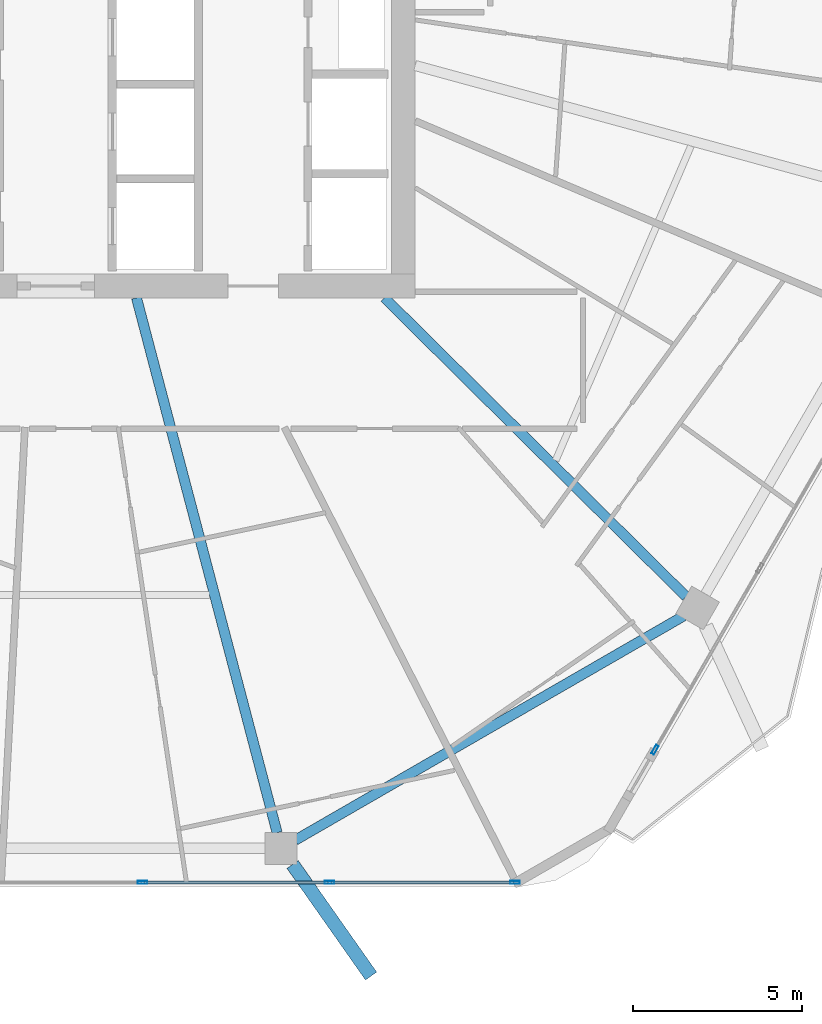
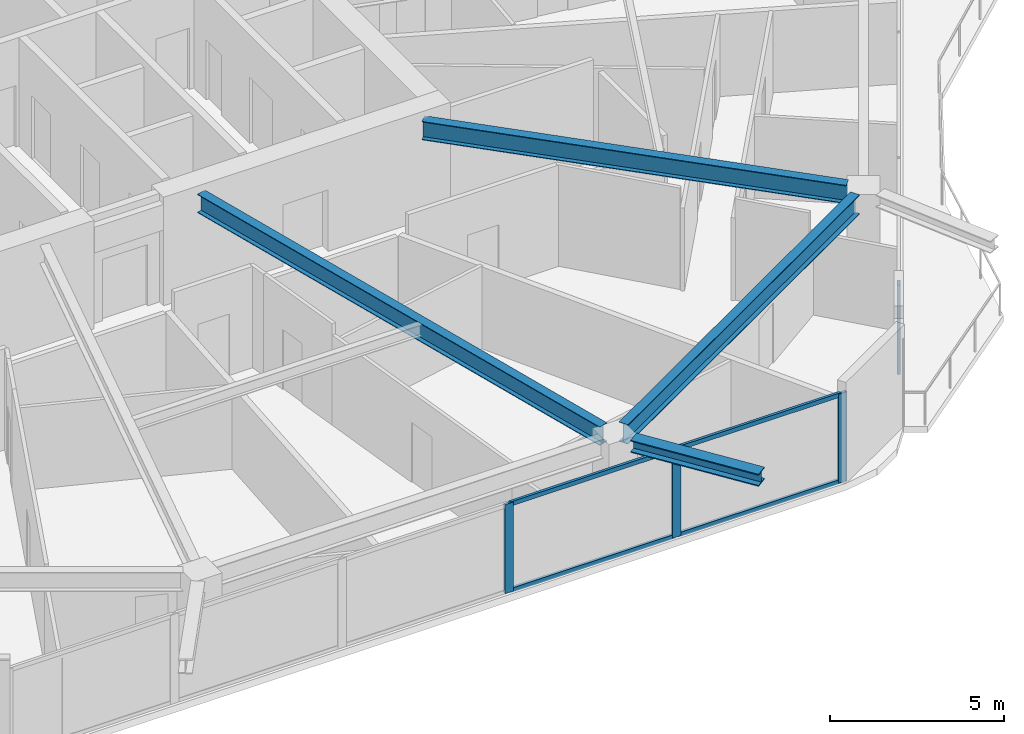
# One storey, part 7 of 27: 8 members, 4 beams, 2 elements without a shape of their own.
"""IFC4 building model written with IfcOpenShell, lengths in metres."""

from ifc_helpers import new_model, si_unit, direction, frame, origin, origin_2d, place, context, subcontext, project, spatial, hollow_rectangle, i_section, extrude, material, material_profile, profile_set, type_object, element, aggregate, save


model = new_model("IFC4")

# Units and contexts
model_context = context("Model", 3, precision=1e-05, world=origin(), true_north=direction((0.0, 1.0)))
body_context = subcontext(model_context, "Body", "Model", "MODEL_VIEW")
ifc_project = project(units=[si_unit("LENGTHUNIT", "METRE"), si_unit("AREAUNIT", "SQUARE_METRE"), si_unit("VOLUMEUNIT", "CUBIC_METRE"), si_unit("PLANEANGLEUNIT", "RADIAN"), si_unit("MASSUNIT", "GRAM", prefix="KILO")], contexts=[model_context])

# Site, building, storey
site_placement = place(None, origin())
site = spatial("IfcSite", under=ifc_project, at=site_placement, CompositionType="ELEMENT")
building_placement = place(site_placement, origin())
building = spatial("IfcBuilding", under=site, at=building_placement, Name="Zuhravey Tower", CompositionType="ELEMENT")
storey_placement = place(building_placement, frame((0.0, 0.0, 188.39990234375)))
storey = spatial("IfcBuildingStorey", under=building, at=storey_placement, Name="L47", CompositionType="ELEMENT", Elevation=188.39990234375)

# Curtain wall, member
ifc_material_1 = material(Name="Thermally broken anodised aluminium", Category="aluminium")
curtain_wall_type = type_object("IfcCurtainWallType", Name="Zone 1-2 Residential Curtain Wall CW3", PredefinedType="NOTDEFINED", material=ifc_material_1)
curtain_wall_1_placement = place(storey_placement, origin())
curtain_wall_1 = element("IfcCurtainWall", 1, at=curtain_wall_1_placement, inside=storey, type_object=curtain_wall_type, Name="L47 CW3 CW-L47-F6-1", PredefinedType="NOTDEFINED")
ifc_material_2 = material(Name="Anodised aluminium", Category="aluminium")
ifc_material_profile_1 = material_profile(ifc_material_2, hollow_rectangle(XDim=0.090087890625, YDim=0.284912109375, WallThickness=0.0048828125, at=origin_2d()), Name="ALU-RHS-90x285x5")
ifc_profile_set_1 = profile_set([ifc_material_profile_1], Name="Anodised aluminium")
member_type_1 = type_object("IfcMemberType", Name="Curtain-Wall Mullion 90x180", PredefinedType="MULLION", material=ifc_profile_set_1)
member_1_placement = place(storey_placement, frame((53.9638671875, 8.748046875, 0.0), z_axis=(0.0, 0.0, 1.0), x_axis=(0.866025776429, -0.499999354559, 0.0)))
member_1 = element("IfcMember", 2, at=member_1_placement, type_object=member_type_1, Name="CW3 mullion 5", PredefinedType="MULLION", context=body_context, shape_type="SweptSolid", body=[
    extrude(hollow_rectangle(XDim=0.090087890625, YDim=0.284912109375, WallThickness=0.0048828125, at=origin_2d()), origin(), (0.0, 0.0, 1.0), 3.1220703125),
])
aggregate(curtain_wall_1, [member_1])

# Curtain wall, members
curtain_wall_2_placement = place(storey_placement, origin())
curtain_wall_2 = element("IfcCurtainWall", 3, at=curtain_wall_2_placement, inside=storey, type_object=curtain_wall_type, Name="L47 CW3 CW-L47-F5-1", PredefinedType="NOTDEFINED")
member_2_placement = place(storey_placement, frame((49.816162109375, 4.81689453125, 0.0), z_axis=(0.0, 0.0, 1.0), x_axis=(0.0, -1.0, 0.0)))
member_2 = element("IfcMember", 4, at=member_2_placement, type_object=member_type_1, Name="CW3 mullion 1", PredefinedType="MULLION", context=body_context, shape_type="SweptSolid", body=[
    extrude(hollow_rectangle(XDim=0.090087890625, YDim=0.284912109375, WallThickness=0.0048828125, at=origin_2d()), origin(), (0.0, 0.0, 1.0), 3.1220703125),
])
member_3_placement = place(storey_placement, frame((44.316650390625, 4.81689453125, 0.0), z_axis=(0.0, 0.0, 1.0), x_axis=(0.0, -1.0, 0.0)))
member_3 = element("IfcMember", 5, at=member_3_placement, type_object=member_type_1, Name="CW3 mullion 2", PredefinedType="MULLION", context=body_context, shape_type="SweptSolid", body=[
    extrude(hollow_rectangle(XDim=0.090087890625, YDim=0.284912109375, WallThickness=0.0048828125, at=origin_2d()), origin(), (0.0, 0.0, 1.0), 3.1220703125),
])
member_4_placement = place(storey_placement, frame((38.772216796875, 4.81689453125, 0.0), z_axis=(0.0, 0.0, 1.0), x_axis=(0.0, -1.0, 0.0)))
member_4 = element("IfcMember", 6, at=member_4_placement, type_object=member_type_1, Name="CW3 mullion 3", PredefinedType="MULLION", context=body_context, shape_type="SweptSolid", body=[
    extrude(hollow_rectangle(XDim=0.090087890625, YDim=0.284912109375, WallThickness=0.0048828125, at=origin_2d()), origin(), (0.0, 0.0, 1.0), 3.1220703125),
])
ifc_material_profile_2 = material_profile(ifc_material_2, hollow_rectangle(XDim=0.090087890625, YDim=0.14990234375, WallThickness=0.0048828125, at=origin_2d()), Name="ALU-RHS-90x150x5")
ifc_profile_set_2 = profile_set([ifc_material_profile_2], Name="Anodised aluminium")
member_type_2 = type_object("IfcMemberType", Name="Curtain-Wall Transom 90x150", PredefinedType="USERDEFINED", material=ifc_profile_set_2)
member_5_placement = place(storey_placement, frame((49.77099609375, 4.81689453125, 0.045166015625), z_axis=(-1.0, 0.0, 0.0), x_axis=(0.0, -1.0, 0.0)))
member_5 = element("IfcMember", 7, at=member_5_placement, type_object=member_type_2, Name="CW3 transom 1.1", ObjectType="TRANSOM", PredefinedType="USERDEFINED", context=body_context, shape_type="SweptSolid", body=[
    extrude(hollow_rectangle(XDim=0.090087890625, YDim=0.14990234375, WallThickness=0.0048828125, at=origin_2d()), origin(), (0.0, 0.0, 1.0), 5.409423828125),
])
member_6_placement = place(storey_placement, frame((49.77099609375, 4.81689453125, 3.0771484375), z_axis=(-1.0, 0.0, 0.0), x_axis=(0.0, -1.0, 0.0)))
member_6 = element("IfcMember", 8, at=member_6_placement, type_object=member_type_2, Name="CW3 transom 1.2", ObjectType="TRANSOM", PredefinedType="USERDEFINED", context=body_context, shape_type="SweptSolid", body=[
    extrude(hollow_rectangle(XDim=0.090087890625, YDim=0.14990234375, WallThickness=0.0048828125, at=origin_2d()), origin(), (0.0, 0.0, 1.0), 5.409423828125),
])
member_7_placement = place(storey_placement, frame((44.271728515625, 4.81689453125, 0.045166015625), z_axis=(-1.0, 0.0, 0.0), x_axis=(0.0, -1.0, 0.0)))
member_7 = element("IfcMember", 9, at=member_7_placement, type_object=member_type_2, Name="CW3 transom 2.1", ObjectType="TRANSOM", PredefinedType="USERDEFINED", context=body_context, shape_type="SweptSolid", body=[
    extrude(hollow_rectangle(XDim=0.090087890625, YDim=0.14990234375, WallThickness=0.0048828125, at=origin_2d()), origin(), (0.0, 0.0, 1.0), 5.45458984375),
])
member_8_placement = place(storey_placement, frame((44.271728515625, 4.81689453125, 3.0771484375), z_axis=(-1.0, 0.0, 0.0), x_axis=(0.0, -1.0, 0.0)))
member_8 = element("IfcMember", 10, at=member_8_placement, type_object=member_type_2, Name="CW3 transom 2.2", ObjectType="TRANSOM", PredefinedType="USERDEFINED", context=body_context, shape_type="SweptSolid", body=[
    extrude(hollow_rectangle(XDim=0.090087890625, YDim=0.14990234375, WallThickness=0.0048828125, at=origin_2d()), origin(), (0.0, 0.0, 1.0), 5.45458984375),
])
aggregate(curtain_wall_2, [member_2, member_3, member_4, member_5, member_6, member_7, member_8])

# Beams
ifc_material_3 = material(Name="Steel SM460", Category="steel")
ifc_material_profile_3 = material_profile(ifc_material_3, i_section(OverallWidth=0.406982421875, OverallDepth=0.427978515625, WebThickness=0.02001953125, FlangeThickness=0.034912109375, at=origin_2d()), Name="H-428x407x20x35")
ifc_profile_set_3 = profile_set([ifc_material_profile_3], Name="Steel SM460")
beam_type_1 = type_object("IfcBeamType", Name="Exoskeleton Node Tie Beam H428x407", PredefinedType="BEAM", material=ifc_profile_set_3)
beam_1_placement = place(storey_placement, frame((43.218505859375, 5.3486328125, 3.336181640625), z_axis=(0.57531553611, -0.817931558207, 0.0), x_axis=(0.817931558207, 0.57531553611, 0.0)))
element("IfcBeam", 11, at=beam_1_placement, inside=storey, type_object=beam_type_1, Name="L47 Exoskeleton Node Tie NT1-10", PredefinedType="BEAM", context=body_context, shape_type="SweptSolid", body=[
    extrude(i_section(OverallWidth=0.406982421875, OverallDepth=0.427978515625, WebThickness=0.02001953125, FlangeThickness=0.034912109375, at=origin_2d()), origin(), (0.0, 0.0, 1.0), 4.04638671875),
])
ifc_material_4 = material(Name="Steel SM355", Category="steel")
ifc_material_profile_4 = material_profile(ifc_material_4, i_section(OverallWidth=0.300048828125, OverallDepth=0.679931640625, WebThickness=0.012939453125, FlangeThickness=0.02197265625, at=origin_2d()), Name="H-680x300x13x22")
ifc_profile_set_4 = profile_set([ifc_material_profile_4], Name="Steel SM355")
beam_type_2 = type_object("IfcBeamType", Name="Perimeter Ring Beam H680x300", PredefinedType="BEAM", material=ifc_profile_set_4)
beam_2_placement = place(storey_placement, frame((43.2958984375, 6.06591796875, 3.210205078125), z_axis=(0.866029041019, 0.499993700073, 0.0), x_axis=(-0.499993700073, 0.866029041019, 0.0)))
element("IfcBeam", 12, at=beam_2_placement, inside=storey, type_object=beam_type_2, Name="L47 PB2 BM-L47-PB-10", PredefinedType="BEAM", context=body_context, shape_type="SweptSolid", body=[
    extrude(i_section(OverallWidth=0.300048828125, OverallDepth=0.679931640625, WebThickness=0.012939453125, FlangeThickness=0.02197265625, at=origin_2d()), origin(), (0.0, 0.0, 1.0), 13.297119140625),
])
ifc_material_profile_5 = material_profile(ifc_material_4, i_section(OverallWidth=0.300048828125, OverallDepth=0.64990234375, WebThickness=0.012939453125, FlangeThickness=0.02197265625, at=origin_2d()), Name="H-650x300x13x22")
ifc_profile_set_5 = profile_set([ifc_material_profile_5], Name="Steel SM355")
beam_type_3 = type_object("IfcBeamType", Name="Radial Primary Girder H650x300", PredefinedType="BEAM", material=ifc_profile_set_5)
beam_3_placement = place(storey_placement, frame((38.5908203125, 22.14697265625, 3.22509765625), z_axis=(0.254299806285, -0.967125435775, 0.0), x_axis=(0.967125435775, 0.254299806285, 0.0)))
element("IfcBeam", 13, at=beam_3_placement, inside=storey, type_object=beam_type_3, Name="L47 RG2 BM-L47-RAD-10", PredefinedType="BEAM", context=body_context, shape_type="SweptSolid", body=[
    extrude(i_section(OverallWidth=0.300048828125, OverallDepth=0.64990234375, WebThickness=0.012939453125, FlangeThickness=0.02197265625, at=origin_2d()), origin(), (0.0, 0.0, 1.0), 16.396728515625),
])
beam_4_placement = place(storey_placement, frame((45.945556640625, 22.14697265625, 3.22509765625), z_axis=(0.710406645816, -0.703791444663, 0.0), x_axis=(0.703791444663, 0.710406645816, 0.0)))
element("IfcBeam", 14, at=beam_4_placement, inside=storey, type_object=beam_type_3, Name="L47 RG2 BM-L47-RAD-11", PredefinedType="BEAM", context=body_context, shape_type="SweptSolid", body=[
    extrude(i_section(OverallWidth=0.300048828125, OverallDepth=0.64990234375, WebThickness=0.012939453125, FlangeThickness=0.02197265625, at=origin_2d()), origin(), (0.0, 0.0, 1.0), 12.5849609375),
])

save(model, "model.ifc")
